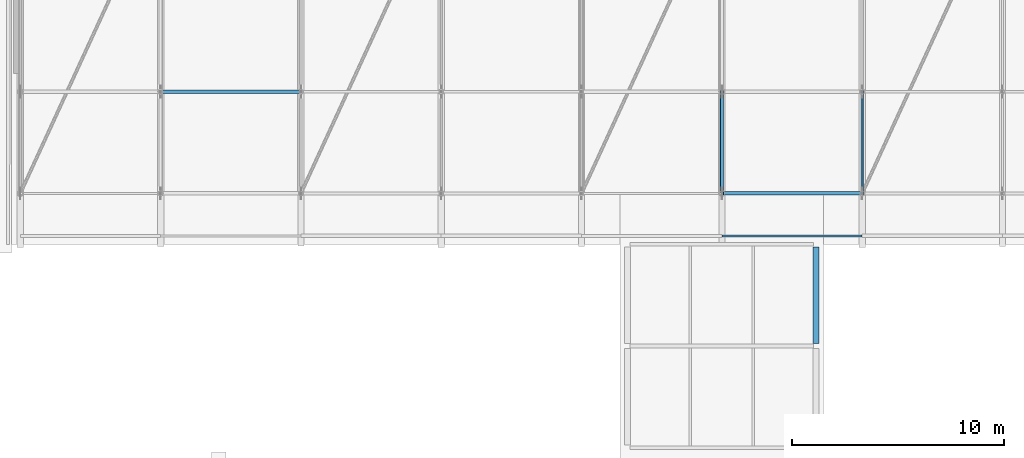
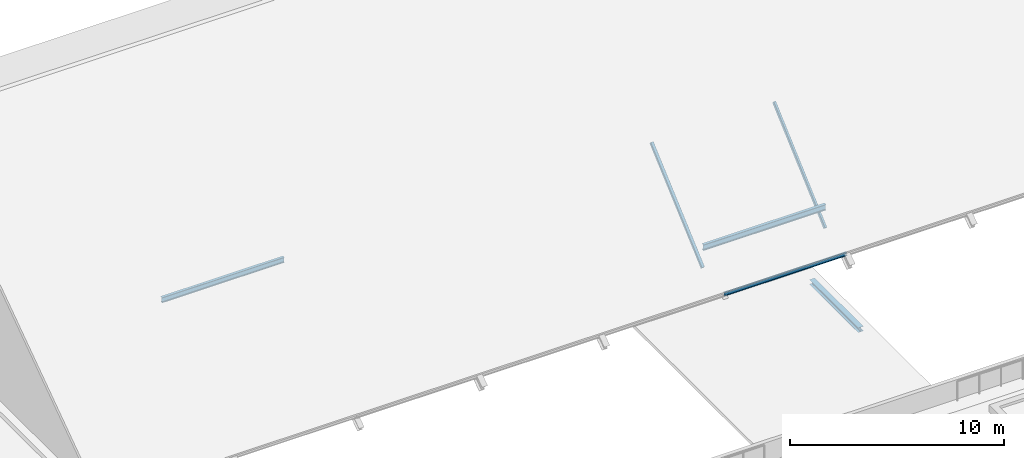
# One storey, part 52 of 134: 5 members, 1 beam.
"""IFC4 building model written with IfcOpenShell, lengths in metres."""

from ifc_helpers import new_model, si_unit, direction, frame, origin, origin_2d, place, context, subcontext, project, spatial, hollow_rectangle, i_section, extrude, material, material_profile, profile_set, type_object, element, save


model = new_model("IFC4")

# Units and contexts
model_context = context("Model", 3, precision=1e-05, world=origin(), true_north=direction((0.0, 1.0)))
body_context = subcontext(model_context, "Body", "Model", "MODEL_VIEW")
ifc_project = project(units=[si_unit("LENGTHUNIT", "METRE"), si_unit("AREAUNIT", "SQUARE_METRE"), si_unit("VOLUMEUNIT", "CUBIC_METRE"), si_unit("PLANEANGLEUNIT", "RADIAN"), si_unit("MASSUNIT", "GRAM", prefix="KILO")], contexts=[model_context])

# Site, building, storey
site_placement = place(None, origin())
site = spatial("IfcSite", under=ifc_project, at=site_placement, CompositionType="ELEMENT")
building_placement = place(site_placement, origin())
building = spatial("IfcBuilding", under=site, at=building_placement, Name="Asteropetra Specialist Clinic", CompositionType="ELEMENT")
storey_placement = place(building_placement, frame((0.0, 0.0, 8.5)))
storey = spatial("IfcBuildingStorey", under=building, at=storey_placement, Name="L02", CompositionType="ELEMENT", Elevation=8.5)

# Beam
ifc_material_1 = material(Name="Steel S355", Category="steel")
ifc_material_profile_1 = material_profile(ifc_material_1, i_section(OverallWidth=0.280029296875, OverallDepth=0.27001953125, WebThickness=0.008056640625, FlangeThickness=0.012939453125, FilletRadius=0.02392578125, at=origin_2d()), Name="HEA 280")
ifc_profile_set_1 = profile_set([ifc_material_profile_1], Name="Steel S355")
beam_type = type_object("IfcBeamType", Name="BM-STL-HEA280", PredefinedType="BEAM", material=ifc_profile_set_1)
beam_placement = place(storey_placement, frame((124.449951171875, 69.719970703125, -0.324951171875), z_axis=(0.0, 1.0, 0.0), x_axis=(-1.0, 0.0, 0.0)))
element("IfcBeam", 1, at=beam_placement, inside=storey, type_object=beam_type, Name="Beam BBMS6-1367", PredefinedType="BEAM", context=body_context, shape_type="SweptSolid", body=[
    extrude(i_section(OverallWidth=0.280029296875, OverallDepth=0.27001953125, WebThickness=0.008056640625, FlangeThickness=0.012939453125, FilletRadius=0.02392578125, at=origin_2d()), origin(), (0.0, 0.0, 1.0), 4.56005859375),
])

# Members
ifc_material_2 = material(Name="Steel S355", Category="steel")
ifc_material_profile_2 = material_profile(ifc_material_2, hollow_rectangle(XDim=0.1201171875, YDim=0.199951171875, WallThickness=0.010009765625, InnerFilletRadius=0.008056640625, OuterFilletRadius=0.01611328125, at=origin_2d()), Name="RHS 200x120x10.0")
ifc_profile_set_2 = profile_set([ifc_material_profile_2], Name="Steel S355")
member_type_1 = type_object("IfcMemberType", Name="TR-BRC-RHS200", PredefinedType="BRACE", material=ifc_profile_set_2)
member_1_placement = place(storey_placement, frame((126.6201171875, 76.800048828125, 0.419921875), z_axis=(0.0, 0.744985578282, 0.66708057096), x_axis=(-1.0, 0.0, 0.0)))
element("IfcMember", 2, at=member_1_placement, inside=storey, type_object=member_type_1, Name="Truss Web Diagonal TRV1-D07-0", PredefinedType="BRACE", context=body_context, shape_type="SweptSolid", body=[
    extrude(hollow_rectangle(XDim=0.1201171875, YDim=0.199951171875, WallThickness=0.010009765625, InnerFilletRadius=0.008056640625, OuterFilletRadius=0.01611328125, at=origin_2d()), origin(), (0.0, 0.0, 1.0), 6.443115234375),
])
ifc_material_3 = material(Name="Steel S355", Category="steel")
ifc_material_profile_3 = material_profile(ifc_material_3, hollow_rectangle(XDim=0.159912109375, YDim=0.159912109375, WallThickness=0.008056640625, InnerFilletRadius=0.008056640625, OuterFilletRadius=0.01611328125, at=origin_2d()), Name="SHS 160x160x8.0")
ifc_profile_set_3 = profile_set([ifc_material_profile_3], Name="Steel S355")
member_type_2 = type_object("IfcMemberType", Name="TR-BRC-SHS160", PredefinedType="BRACE", material=ifc_profile_set_3)
member_2_placement = place(storey_placement, frame((120.0, 76.800048828125, 0.469970703125), z_axis=(0.0, 0.748853326805, 0.662735765546), x_axis=(-1.0, 0.0, 0.0)))
element("IfcMember", 3, at=member_2_placement, inside=storey, type_object=member_type_2, Name="Truss Web Diagonal TRV1-D06-0", PredefinedType="BRACE", context=body_context, shape_type="SweptSolid", body=[
    extrude(hollow_rectangle(XDim=0.159912109375, YDim=0.159912109375, WallThickness=0.008056640625, InnerFilletRadius=0.008056640625, OuterFilletRadius=0.01611328125, at=origin_2d()), origin(), (0.0, 0.0, 1.0), 6.409912109375),
])
ifc_material_4 = material(Name="Steel S355", Category="steel")
ifc_material_profile_4 = material_profile(ifc_material_4, i_section(OverallWidth=0.10009765625, OverallDepth=0.199951171875, WebThickness=0.005615234375, FlangeThickness=0.008544921875, FilletRadius=0.011962890625, at=origin_2d()), Name="IPE 200")
ifc_profile_set_4 = profile_set([ifc_material_profile_4], Name="Steel S355")
member_type_3 = type_object("IfcMemberType", Name="TR-PUR-IPE200", PredefinedType="PURLIN", material=ifc_profile_set_4)
member_3_placement = place(storey_placement, frame((120.0, 74.800048828125, 0.177001953125), z_axis=(1.0, 0.0, 0.0), x_axis=(0.0, 1.0, 0.0)))
element("IfcMember", 4, at=member_3_placement, inside=storey, type_object=member_type_3, Name="Roof Purlin TRV1-P06-01", PredefinedType="PURLIN", context=body_context, shape_type="SweptSolid", body=[
    extrude(i_section(OverallWidth=0.10009765625, OverallDepth=0.199951171875, WebThickness=0.005615234375, FlangeThickness=0.008544921875, FilletRadius=0.011962890625, at=origin_2d()), origin(), (0.0, 0.0, 1.0), 6.6201171875),
])
ifc_material_5 = material(Name="Steel S355", Category="steel")
ifc_material_profile_5 = material_profile(ifc_material_5, i_section(OverallWidth=0.14990234375, OverallDepth=0.300048828125, WebThickness=0.007080078125, FlangeThickness=0.0107421875, FilletRadius=0.014892578125, at=origin_2d()), Name="IPE 300")
ifc_profile_set_5 = profile_set([ifc_material_profile_5], Name="Steel S355")
member_type_4 = type_object("IfcMemberType", Name="TR-PUR-IPE300", PredefinedType="PURLIN", material=ifc_profile_set_5)
member_4_placement = place(storey_placement, frame((93.52001953125, 81.60009765625, 5.003173828125), z_axis=(1.0, 0.0, 0.0), x_axis=(0.0, 1.0, 0.0)))
element("IfcMember", 5, at=member_4_placement, inside=storey, type_object=member_type_4, Name="Roof Purlin TRV1-P02-03", PredefinedType="PURLIN", context=body_context, shape_type="SweptSolid", body=[
    extrude(i_section(OverallWidth=0.14990234375, OverallDepth=0.300048828125, WebThickness=0.007080078125, FlangeThickness=0.0107421875, FilletRadius=0.014892578125, at=origin_2d()), origin(), (0.0, 0.0, 1.0), 6.619873046875),
])
ifc_material_6 = material(Name="Steel S355", Category="steel")
ifc_material_profile_6 = material_profile(ifc_material_6, i_section(OverallWidth=0.159912109375, OverallDepth=0.330078125, WebThickness=0.007568359375, FlangeThickness=0.011474609375, FilletRadius=0.01806640625, at=origin_2d()), Name="IPE 330")
ifc_profile_set_6 = profile_set([ifc_material_profile_6], Name="Steel S355")
member_type_5 = type_object("IfcMemberType", Name="TR-PUR-IPE330", PredefinedType="PURLIN", material=ifc_profile_set_6)
member_5_placement = place(storey_placement, frame((120.0, 76.800048828125, 1.646484375), z_axis=(1.0, 0.0, 0.0), x_axis=(0.0, 1.0, 0.0)))
element("IfcMember", 6, at=member_5_placement, inside=storey, type_object=member_type_5, Name="Roof Purlin TRV1-P06-02", PredefinedType="PURLIN", context=body_context, shape_type="SweptSolid", body=[
    extrude(i_section(OverallWidth=0.159912109375, OverallDepth=0.330078125, WebThickness=0.007568359375, FlangeThickness=0.011474609375, FilletRadius=0.01806640625, at=origin_2d()), origin(), (0.0, 0.0, 1.0), 6.6201171875),
])

save(model, "model.ifc")
